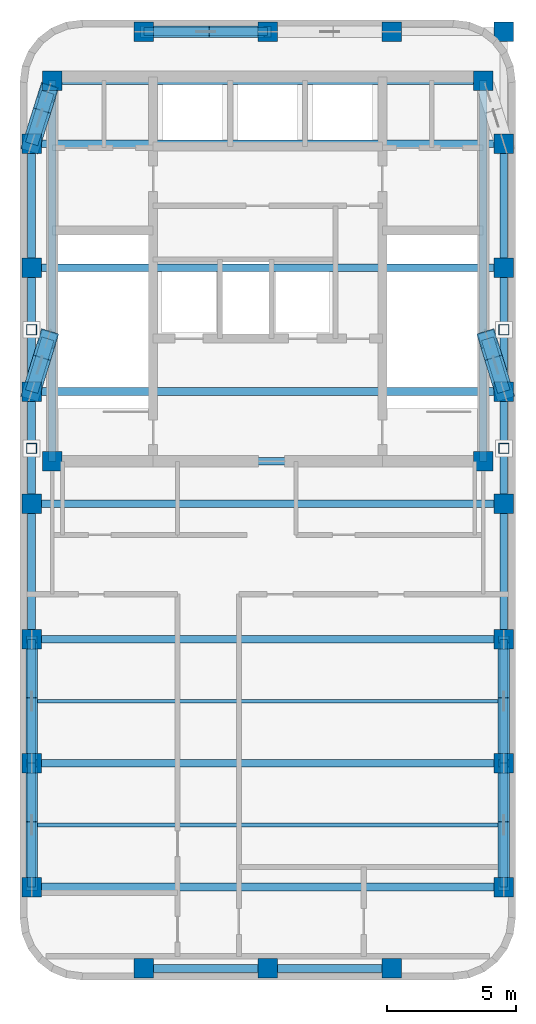
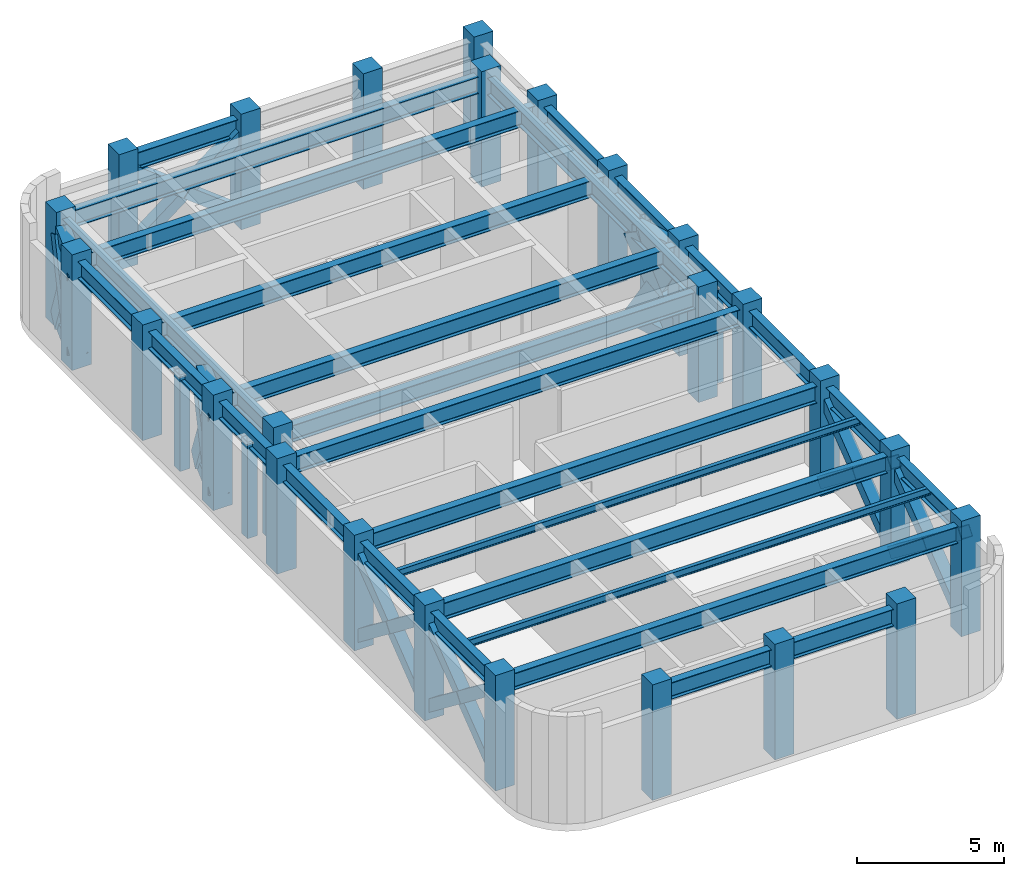
# One storey, part 1 of 5: 34 members, 28 beams, 25 columns.
"""IFC4 building model written with IfcOpenShell, lengths in metres."""

from ifc_helpers import new_model, si_unit, direction, frame, origin, origin_2d, place, context, subcontext, project, spatial, rectangle, hollow_rectangle, i_section, extrude, material, material_profile, profile_set, type_object, element, save


model = new_model("IFC4")

# Units and contexts
model_context = context("Model", 3, precision=1e-05, world=origin(), true_north=direction((0.0, 1.0)))
body_context = subcontext(model_context, "Body", "Model", "MODEL_VIEW")
ifc_project = project(units=[si_unit("LENGTHUNIT", "METRE"), si_unit("AREAUNIT", "SQUARE_METRE"), si_unit("VOLUMEUNIT", "CUBIC_METRE"), si_unit("PLANEANGLEUNIT", "RADIAN"), si_unit("MASSUNIT", "GRAM", prefix="KILO")], contexts=[model_context])

# Site, building, storey
site_placement = place(None, origin())
site = spatial("IfcSite", under=ifc_project, at=site_placement, CompositionType="ELEMENT")
building_placement = place(site_placement, origin())
building = spatial("IfcBuilding", under=site, at=building_placement, Name="Orvandelia Arch Residences", CompositionType="ELEMENT")
storey_placement = place(building_placement, frame((0.0, 0.0, 296.199951171875)))
storey = spatial("IfcBuildingStorey", under=building, at=storey_placement, Name="L76", CompositionType="ELEMENT", Elevation=296.199951171875)

# Columns
ifc_material_1 = material(Name="Concrete C50/60", Category="concrete")
ifc_material_profile_1 = material_profile(ifc_material_1, rectangle(XDim=0.75, YDim=0.75, at=origin_2d()), Name="Concrete C50/60", Category="concrete")
ifc_profile_set_1 = profile_set([ifc_material_profile_1], Name="Concrete C50/60")
column_type = type_object("IfcColumnType", Name="COL-TWR-750", PredefinedType="COLUMN", material=ifc_profile_set_1)
for number, where, z_axis, x_axis, name in (
    (1, (5.25, 14.39990234375, 0.0), (0.0, 0.0, 1.0), (1.0, 0.0, 0.0), "Structural Column L76-W-W-144"),
    (2, (5.25, 19.199951171875, 0.0), (0.0, 0.0, 1.0), (1.0, 0.0, 0.0), "Structural Column L76-W-W-192"),
    (3, (5.25, 24.0, 0.0), (0.0, 0.0, 1.0), (1.0, 0.0, 0.0), "Structural Column L76-W-W-240"),
    (4, (5.25, 29.25, 0.0), (0.0, 0.0, 1.0), (1.0, 0.0, 0.0), "Structural Column L76-W-W-292"),
    (5, (5.25, 33.60009765625, 0.0), (0.0, 0.0, 1.0), (1.0, 0.0, 0.0), "Structural Column L76-W-W-336"),
    (6, (5.25, 38.39990234375, 0.0), (0.0, 0.0, 1.0), (1.0, 0.0, 0.0), "Structural Column L76-W-W-384"),
    (7, (5.25, 43.199951171875, 0.0), (0.0, 0.0, 1.0), (1.0, 0.0, 0.0), "Structural Column L76-W-W-432"),
    (8, (6.050048828125, 30.89990234375, 0.0), (0.0, 0.0, 1.0), (1.0, 0.0, 0.0), "Structural Column L76-CR-SW"),
    (9, (6.050048828125, 45.64990234375, 0.0), (0.0, 0.0, 1.0), (1.0, 0.0, 0.0), "Structural Column L76-CR-NW"),
    (10, (9.60009765625, 11.25, 0.0), (0.0, 0.0, 1.0), (1.0, 0.0, 0.0), "Structural Column L76-W-S-96"),
    (11, (9.60009765625, 47.550048828125, 0.0), (0.0, 0.0, 1.0), (1.0, 0.0, 0.0), "Structural Column L76-W-N-96"),
    (12, (14.39990234375, 11.25, 0.0), (0.0, 0.0, 1.0), (1.0, 0.0, 0.0), "Structural Column L76-W-S-144"),
    (13, (14.39990234375, 47.550048828125, 0.0), (0.0, 0.0, 1.0), (1.0, 0.0, 0.0), "Structural Column L76-W-N-144"),
    (14, (19.199951171875, 11.25, 0.0), (0.0, 0.0, 1.0), (1.0, 0.0, 0.0), "Structural Column L76-W-S-192"),
    (15, (19.199951171875, 47.550048828125, 0.0), (0.0, 0.0, 1.0), (1.0, 0.0, 0.0), "Structural Column L76-W-N-192"),
    (16, (22.75, 30.89990234375, 0.0), (0.0, 0.0, 1.0), (1.0, 0.0, 0.0), "Structural Column L76-CR-SE"),
    (17, (22.75, 45.64990234375, 0.0), (0.0, 0.0, 1.0), (1.0, 0.0, 0.0), "Structural Column L76-CR-NE"),
    (18, (23.550048828125, 14.39990234375, 0.0), (0.0, 0.0, 1.0), (1.0, 0.0, 0.0), "Structural Column L76-W-E-144"),
    (19, (23.550048828125, 19.199951171875, 0.0), (0.0, 0.0, 1.0), (1.0, 0.0, 0.0), "Structural Column L76-W-E-192"),
    (20, (23.550048828125, 24.0, 0.0), (0.0, 0.0, 1.0), (1.0, 0.0, 0.0), "Structural Column L76-W-E-240"),
    (21, (23.550048828125, 29.25, 0.0), (0.0, 0.0, 1.0), (1.0, 0.0, 0.0), "Structural Column L76-W-E-292"),
    (22, (23.550048828125, 33.60009765625, 0.0), (0.0, 0.0, 1.0), (1.0, 0.0, 0.0), "Structural Column L76-W-E-336"),
    (23, (23.550048828125, 38.39990234375, 0.0), (0.0, 0.0, 1.0), (1.0, 0.0, 0.0), "Structural Column L76-W-E-384"),
    (24, (23.550048828125, 43.199951171875, 0.0), (0.0, 0.0, 1.0), (1.0, 0.0, 0.0), "Structural Column L76-W-E-432"),
    (25, (23.550048828125, 47.550048828125, 0.0), (0.0, 0.0, 1.0), (1.0, 0.0, 0.0), "Structural Column L76-W-N-235"),
):
    element("IfcColumn", number, at=place(storey_placement, frame(where, z_axis=z_axis, x_axis=x_axis)), inside=storey, type_object=column_type, Name=name, PredefinedType="COLUMN", context=body_context, shape_type="SweptSolid", body=[
        extrude(rectangle(XDim=0.75, YDim=0.75, at=origin_2d()), origin(), (0.0, 0.0, 1.0), 4.800048828125),
    ])

# Beams
ifc_material_2 = material(Name="Structural Steel SM355 (355 MPa)", Category="steel")
ifc_material_profile_2 = material_profile(ifc_material_2, i_section(OverallWidth=0.300048828125, OverallDepth=0.699951171875, WebThickness=0.012939453125, FlangeThickness=0.02392578125, FilletRadius=0.02392578125, at=origin_2d()), Name="Structural Steel SM355 (355 MPa)", Category="steel")
ifc_profile_set_2 = profile_set([ifc_material_profile_2], Name="Structural Steel SM355 (355 MPa)")
beam_type_1 = type_object("IfcBeamType", Name="BM-GRD-H700", PredefinedType="BEAM", material=ifc_profile_set_2)
for number, where, z_axis, x_axis, name in (
    (26, (5.25, 14.39990234375, 4.10009765625), (0.0, 1.0, 0.0), (-1.0, 0.0, 0.0), "Structural Frame Beam L76-NS-001"),
    (27, (5.25, 19.199951171875, 4.10009765625), (0.0, 1.0, 0.0), (-1.0, 0.0, 0.0), "Structural Frame Beam L76-NS-002"),
):
    element("IfcBeam", number, at=place(storey_placement, frame(where, z_axis=z_axis, x_axis=x_axis)), inside=storey, type_object=beam_type_1, Name=name, PredefinedType="BEAM", context=body_context, shape_type="SweptSolid", body=[
        extrude(i_section(OverallWidth=0.300048828125, OverallDepth=0.699951171875, WebThickness=0.012939453125, FlangeThickness=0.02392578125, FilletRadius=0.02392578125, at=origin_2d()), origin(), (0.0, 0.0, 1.0), 4.800048828125),
    ])
beam_1_placement = place(storey_placement, frame((5.25, 24.0, 4.10009765625), z_axis=(0.0, 1.0, 0.0), x_axis=(-1.0, 0.0, 0.0)))
element("IfcBeam", 28, at=beam_1_placement, inside=storey, type_object=beam_type_1, Name="Structural Frame Beam L76-NS-003", PredefinedType="BEAM", context=body_context, shape_type="SweptSolid", body=[
    extrude(i_section(OverallWidth=0.300048828125, OverallDepth=0.699951171875, WebThickness=0.012939453125, FlangeThickness=0.02392578125, FilletRadius=0.02392578125, at=origin_2d()), origin(), (0.0, 0.0, 1.0), 5.25),
])
beam_2_placement = place(storey_placement, frame((5.25, 29.25, 4.10009765625), z_axis=(0.0, 1.0, 0.0), x_axis=(-1.0, 0.0, 0.0)))
element("IfcBeam", 29, at=beam_2_placement, inside=storey, type_object=beam_type_1, Name="Structural Frame Beam L76-NS-004", PredefinedType="BEAM", context=body_context, shape_type="SweptSolid", body=[
    extrude(i_section(OverallWidth=0.300048828125, OverallDepth=0.699951171875, WebThickness=0.012939453125, FlangeThickness=0.02392578125, FilletRadius=0.02392578125, at=origin_2d()), origin(), (0.0, 0.0, 1.0), 4.35009765625),
])
beam_3_placement = place(storey_placement, frame((5.25, 33.60009765625, 4.10009765625), z_axis=(0.0, 1.0, 0.0), x_axis=(-1.0, 0.0, 0.0)))
element("IfcBeam", 30, at=beam_3_placement, inside=storey, type_object=beam_type_1, Name="Structural Frame Beam L76-NS-005", PredefinedType="BEAM", context=body_context, shape_type="SweptSolid", body=[
    extrude(i_section(OverallWidth=0.300048828125, OverallDepth=0.699951171875, WebThickness=0.012939453125, FlangeThickness=0.02392578125, FilletRadius=0.02392578125, at=origin_2d()), origin(), (0.0, 0.0, 1.0), 4.7998046875),
])
beam_4_placement = place(storey_placement, frame((5.25, 38.39990234375, 4.10009765625), z_axis=(0.0, 1.0, 0.0), x_axis=(-1.0, 0.0, 0.0)))
element("IfcBeam", 31, at=beam_4_placement, inside=storey, type_object=beam_type_1, Name="Structural Frame Beam L76-NS-006", PredefinedType="BEAM", context=body_context, shape_type="SweptSolid", body=[
    extrude(i_section(OverallWidth=0.300048828125, OverallDepth=0.699951171875, WebThickness=0.012939453125, FlangeThickness=0.02392578125, FilletRadius=0.02392578125, at=origin_2d()), origin(), (0.0, 0.0, 1.0), 4.800048828125),
])
for number, where, z_axis, x_axis, name in (
    (32, (6.050048828125, 30.89990234375, 4.10009765625), (0.0, 1.0, 0.0), (-1.0, 0.0, 0.0), "Structural Frame Beam L76-NS-007"),
    (33, (22.75, 30.89990234375, 4.10009765625), (0.0, 1.0, 0.0), (-1.0, 0.0, 0.0), "Structural Frame Beam L76-NS-008"),
):
    element("IfcBeam", number, at=place(storey_placement, frame(where, z_axis=z_axis, x_axis=x_axis)), inside=storey, type_object=beam_type_1, Name=name, PredefinedType="BEAM", context=body_context, shape_type="SweptSolid", body=[
        extrude(i_section(OverallWidth=0.300048828125, OverallDepth=0.699951171875, WebThickness=0.012939453125, FlangeThickness=0.02392578125, FilletRadius=0.02392578125, at=origin_2d()), origin(), (0.0, 0.0, 1.0), 14.75),
    ])
for number, where, z_axis, x_axis, name in (
    (34, (23.550048828125, 14.39990234375, 4.10009765625), (0.0, 1.0, 0.0), (-1.0, 0.0, 0.0), "Structural Frame Beam L76-NS-009"),
    (35, (23.550048828125, 19.199951171875, 4.10009765625), (0.0, 1.0, 0.0), (-1.0, 0.0, 0.0), "Structural Frame Beam L76-NS-010"),
):
    element("IfcBeam", number, at=place(storey_placement, frame(where, z_axis=z_axis, x_axis=x_axis)), inside=storey, type_object=beam_type_1, Name=name, PredefinedType="BEAM", context=body_context, shape_type="SweptSolid", body=[
        extrude(i_section(OverallWidth=0.300048828125, OverallDepth=0.699951171875, WebThickness=0.012939453125, FlangeThickness=0.02392578125, FilletRadius=0.02392578125, at=origin_2d()), origin(), (0.0, 0.0, 1.0), 4.800048828125),
    ])
beam_5_placement = place(storey_placement, frame((23.550048828125, 24.0, 4.10009765625), z_axis=(0.0, 1.0, 0.0), x_axis=(-1.0, 0.0, 0.0)))
element("IfcBeam", 36, at=beam_5_placement, inside=storey, type_object=beam_type_1, Name="Structural Frame Beam L76-NS-011", PredefinedType="BEAM", context=body_context, shape_type="SweptSolid", body=[
    extrude(i_section(OverallWidth=0.300048828125, OverallDepth=0.699951171875, WebThickness=0.012939453125, FlangeThickness=0.02392578125, FilletRadius=0.02392578125, at=origin_2d()), origin(), (0.0, 0.0, 1.0), 5.25),
])
beam_6_placement = place(storey_placement, frame((23.550048828125, 29.25, 4.10009765625), z_axis=(0.0, 1.0, 0.0), x_axis=(-1.0, 0.0, 0.0)))
element("IfcBeam", 37, at=beam_6_placement, inside=storey, type_object=beam_type_1, Name="Structural Frame Beam L76-NS-012", PredefinedType="BEAM", context=body_context, shape_type="SweptSolid", body=[
    extrude(i_section(OverallWidth=0.300048828125, OverallDepth=0.699951171875, WebThickness=0.012939453125, FlangeThickness=0.02392578125, FilletRadius=0.02392578125, at=origin_2d()), origin(), (0.0, 0.0, 1.0), 4.35009765625),
])
beam_7_placement = place(storey_placement, frame((23.550048828125, 33.60009765625, 4.10009765625), z_axis=(0.0, 1.0, 0.0), x_axis=(-1.0, 0.0, 0.0)))
element("IfcBeam", 38, at=beam_7_placement, inside=storey, type_object=beam_type_1, Name="Structural Frame Beam L76-NS-013", PredefinedType="BEAM", context=body_context, shape_type="SweptSolid", body=[
    extrude(i_section(OverallWidth=0.300048828125, OverallDepth=0.699951171875, WebThickness=0.012939453125, FlangeThickness=0.02392578125, FilletRadius=0.02392578125, at=origin_2d()), origin(), (0.0, 0.0, 1.0), 4.7998046875),
])
beam_8_placement = place(storey_placement, frame((23.550048828125, 38.39990234375, 4.10009765625), z_axis=(0.0, 1.0, 0.0), x_axis=(-1.0, 0.0, 0.0)))
element("IfcBeam", 39, at=beam_8_placement, inside=storey, type_object=beam_type_1, Name="Structural Frame Beam L76-NS-014", PredefinedType="BEAM", context=body_context, shape_type="SweptSolid", body=[
    extrude(i_section(OverallWidth=0.300048828125, OverallDepth=0.699951171875, WebThickness=0.012939453125, FlangeThickness=0.02392578125, FilletRadius=0.02392578125, at=origin_2d()), origin(), (0.0, 0.0, 1.0), 4.800048828125),
])
beam_9_placement = place(storey_placement, frame((9.60009765625, 11.25, 4.10009765625), z_axis=(1.0, 0.0, 0.0), x_axis=(0.0, 1.0, 0.0)))
element("IfcBeam", 40, at=beam_9_placement, inside=storey, type_object=beam_type_1, Name="Structural Frame Girder L76-EW-016", PredefinedType="BEAM", context=body_context, shape_type="SweptSolid", body=[
    extrude(i_section(OverallWidth=0.300048828125, OverallDepth=0.699951171875, WebThickness=0.012939453125, FlangeThickness=0.02392578125, FilletRadius=0.02392578125, at=origin_2d()), origin(), (0.0, 0.0, 1.0), 4.7998046875),
])
beam_10_placement = place(storey_placement, frame((14.39990234375, 11.25, 4.10009765625), z_axis=(1.0, 0.0, 0.0), x_axis=(0.0, 1.0, 0.0)))
element("IfcBeam", 41, at=beam_10_placement, inside=storey, type_object=beam_type_1, Name="Structural Frame Girder L76-EW-017", PredefinedType="BEAM", context=body_context, shape_type="SweptSolid", body=[
    extrude(i_section(OverallWidth=0.300048828125, OverallDepth=0.699951171875, WebThickness=0.012939453125, FlangeThickness=0.02392578125, FilletRadius=0.02392578125, at=origin_2d()), origin(), (0.0, 0.0, 1.0), 4.800048828125),
])
for number, where, z_axis, x_axis, name in (
    (42, (5.25, 14.39990234375, 4.10009765625), (1.0, 0.0, 0.0), (0.0, 1.0, 0.0), "Structural Frame Girder L76-EW-018"),
    (43, (5.25, 19.199951171875, 4.10009765625), (1.0, 0.0, 0.0), (0.0, 1.0, 0.0), "Structural Frame Girder L76-EW-019"),
    (44, (5.25, 24.0, 4.10009765625), (1.0, 0.0, 0.0), (0.0, 1.0, 0.0), "Structural Frame Girder L76-EW-020"),
    (45, (5.25, 29.25, 4.10009765625), (1.0, 0.0, 0.0), (0.0, 1.0, 0.0), "Structural Frame Girder L76-EW-021"),
):
    element("IfcBeam", number, at=place(storey_placement, frame(where, z_axis=z_axis, x_axis=x_axis)), inside=storey, type_object=beam_type_1, Name=name, PredefinedType="BEAM", context=body_context, shape_type="SweptSolid", body=[
        extrude(i_section(OverallWidth=0.300048828125, OverallDepth=0.699951171875, WebThickness=0.012939453125, FlangeThickness=0.02392578125, FilletRadius=0.02392578125, at=origin_2d()), origin(), (0.0, 0.0, 1.0), 18.300048828125),
    ])
beam_11_placement = place(storey_placement, frame((6.050048828125, 30.89990234375, 4.10009765625), z_axis=(1.0, 0.0, 0.0), x_axis=(0.0, 1.0, 0.0)))
element("IfcBeam", 46, at=beam_11_placement, inside=storey, type_object=beam_type_1, Name="Structural Frame Girder L76-EW-022", PredefinedType="BEAM", context=body_context, shape_type="SweptSolid", body=[
    extrude(i_section(OverallWidth=0.300048828125, OverallDepth=0.699951171875, WebThickness=0.012939453125, FlangeThickness=0.02392578125, FilletRadius=0.02392578125, at=origin_2d()), origin(), (0.0, 0.0, 1.0), 16.699951171875),
])
for number, where, z_axis, x_axis, name in (
    (47, (5.25, 33.60009765625, 4.10009765625), (1.0, 0.0, 0.0), (0.0, 1.0, 0.0), "Structural Frame Girder L76-EW-023"),
    (48, (5.25, 38.39990234375, 4.10009765625), (1.0, 0.0, 0.0), (0.0, 1.0, 0.0), "Structural Frame Girder L76-EW-024"),
    (49, (5.25, 43.199951171875, 4.10009765625), (1.0, 0.0, 0.0), (0.0, 1.0, 0.0), "Structural Frame Girder L76-EW-025"),
):
    element("IfcBeam", number, at=place(storey_placement, frame(where, z_axis=z_axis, x_axis=x_axis)), inside=storey, type_object=beam_type_1, Name=name, PredefinedType="BEAM", context=body_context, shape_type="SweptSolid", body=[
        extrude(i_section(OverallWidth=0.300048828125, OverallDepth=0.699951171875, WebThickness=0.012939453125, FlangeThickness=0.02392578125, FilletRadius=0.02392578125, at=origin_2d()), origin(), (0.0, 0.0, 1.0), 18.300048828125),
    ])
beam_12_placement = place(storey_placement, frame((6.050048828125, 45.64990234375, 4.10009765625), z_axis=(1.0, 0.0, 0.0), x_axis=(0.0, 1.0, 0.0)))
element("IfcBeam", 50, at=beam_12_placement, inside=storey, type_object=beam_type_1, Name="Structural Frame Girder L76-EW-026", PredefinedType="BEAM", context=body_context, shape_type="SweptSolid", body=[
    extrude(i_section(OverallWidth=0.300048828125, OverallDepth=0.699951171875, WebThickness=0.012939453125, FlangeThickness=0.02392578125, FilletRadius=0.02392578125, at=origin_2d()), origin(), (0.0, 0.0, 1.0), 16.699951171875),
])
beam_13_placement = place(storey_placement, frame((9.60009765625, 47.550048828125, 4.10009765625), z_axis=(1.0, 0.0, 0.0), x_axis=(0.0, 1.0, 0.0)))
element("IfcBeam", 51, at=beam_13_placement, inside=storey, type_object=beam_type_1, Name="Structural Frame Girder L76-EW-027", PredefinedType="BEAM", context=body_context, shape_type="SweptSolid", body=[
    extrude(i_section(OverallWidth=0.300048828125, OverallDepth=0.699951171875, WebThickness=0.012939453125, FlangeThickness=0.02392578125, FilletRadius=0.02392578125, at=origin_2d()), origin(), (0.0, 0.0, 1.0), 4.7998046875),
])
ifc_material_profile_3 = material_profile(ifc_material_2, i_section(OverallWidth=0.14990234375, OverallDepth=0.300048828125, WebThickness=0.006591796875, FlangeThickness=0.009033203125, FilletRadius=0.012939453125, at=origin_2d()), Name="Structural Steel SM355 (355 MPa)", Category="steel")
ifc_profile_set_3 = profile_set([ifc_material_profile_3], Name="Structural Steel SM355 (355 MPa)")
beam_type_2 = type_object("IfcBeamType", Name="BM-JST-H300", PredefinedType="JOIST", material=ifc_profile_set_3)
for number, where, z_axis, x_axis, name in (
    (52, (5.25, 16.800048828125, 4.300048828125), (1.0, 0.0, 0.0), (0.0, 1.0, 0.0), "Composite Floor Joist L76-J1"),
    (53, (5.25, 21.60009765625, 4.300048828125), (1.0, 0.0, 0.0), (0.0, 1.0, 0.0), "Composite Floor Joist L76-J2"),
):
    element("IfcBeam", number, at=place(storey_placement, frame(where, z_axis=z_axis, x_axis=x_axis)), inside=storey, type_object=beam_type_2, Name=name, PredefinedType="JOIST", context=body_context, shape_type="SweptSolid", body=[
        extrude(i_section(OverallWidth=0.14990234375, OverallDepth=0.300048828125, WebThickness=0.006591796875, FlangeThickness=0.009033203125, FilletRadius=0.012939453125, at=origin_2d()), origin(), (0.0, 0.0, 1.0), 18.300048828125),
    ])

# Members
ifc_material_3 = material(Name="Structural Steel HSA650 (650 MPa)", Category="steel")
ifc_material_profile_4 = material_profile(ifc_material_3, hollow_rectangle(XDim=0.449951171875, YDim=0.449951171875, WallThickness=0.02490234375, at=origin_2d()), Name="Structural Steel HSA650 (650 MPa)", Category="steel")
ifc_profile_set_4 = profile_set([ifc_material_profile_4], Name="Structural Steel HSA650 (650 MPa)")
member_type_1 = type_object("IfcMemberType", Name="MBR-BELT-DIAG", PredefinedType="BRACE", material=ifc_profile_set_4)
member_1_placement = place(storey_placement, frame((5.25, 14.39990234375, 0.300048828125), z_axis=(0.0, 0.79201709571, 0.610498910812), x_axis=(-1.0, 0.0, 0.0)))
element("IfcMember", 54, at=member_1_placement, inside=storey, type_object=member_type_1, Name="Perimeter Belt Truss Diagonal L76-BW-1-1", PredefinedType="BRACE", context=body_context, shape_type="SweptSolid", body=[
    extrude(hollow_rectangle(XDim=0.449951171875, YDim=0.449951171875, WallThickness=0.02490234375, at=origin_2d()), origin(), (0.0, 0.0, 1.0), 6.060546875),
])
member_2_placement = place(storey_placement, frame((5.25, 19.199951171875, 0.300048828125), z_axis=(0.0, -0.79199143626, 0.610532198078), x_axis=(1.0, 0.0, 0.0)))
element("IfcMember", 55, at=member_2_placement, inside=storey, type_object=member_type_1, Name="Perimeter Belt Truss Split Diagonal Lower L76-BW-1-2A", PredefinedType="BRACE", context=body_context, shape_type="SweptSolid", body=[
    extrude(hollow_rectangle(XDim=0.449951171875, YDim=0.449951171875, WallThickness=0.02490234375, at=origin_2d()), origin(), (0.0, 0.0, 1.0), 3.01513671875),
])
member_3_placement = place(storey_placement, frame((5.25, 16.7880859375, 2.1591796875), z_axis=(0.0, -0.792021615799, 0.610493046731), x_axis=(1.0, 0.0, 0.0)))
element("IfcMember", 56, at=member_3_placement, inside=storey, type_object=member_type_1, Name="Perimeter Belt Truss Split Diagonal Upper L76-BW-1-2B", PredefinedType="BRACE", context=body_context, shape_type="SweptSolid", body=[
    extrude(hollow_rectangle(XDim=0.449951171875, YDim=0.449951171875, WallThickness=0.02490234375, at=origin_2d()), origin(), (0.0, 0.0, 1.0), 3.015380859375),
])
member_4_placement = place(storey_placement, frame((5.25, 19.199951171875, 0.300048828125), z_axis=(0.0, 0.79201709571, 0.610498910812), x_axis=(-1.0, 0.0, 0.0)))
element("IfcMember", 57, at=member_4_placement, inside=storey, type_object=member_type_1, Name="Perimeter Belt Truss Diagonal L76-BW-2-1", PredefinedType="BRACE", context=body_context, shape_type="SweptSolid", body=[
    extrude(hollow_rectangle(XDim=0.449951171875, YDim=0.449951171875, WallThickness=0.02490234375, at=origin_2d()), origin(), (0.0, 0.0, 1.0), 6.060546875),
])
for number, where, z_axis, x_axis, name in (
    (58, (5.25, 24.0, 0.300048828125), (0.0, -0.792021615799, 0.610493046731), (1.0, 0.0, 0.0), "Perimeter Belt Truss Split Diagonal Lower L76-BW-2-2A"),
    (59, (5.25, 21.588134765625, 2.1591796875), (0.0, -0.792021615799, 0.610493046731), (1.0, 0.0, 0.0), "Perimeter Belt Truss Split Diagonal Upper L76-BW-2-2B"),
):
    element("IfcMember", number, at=place(storey_placement, frame(where, z_axis=z_axis, x_axis=x_axis)), inside=storey, type_object=member_type_1, Name=name, PredefinedType="BRACE", context=body_context, shape_type="SweptSolid", body=[
        extrude(hollow_rectangle(XDim=0.449951171875, YDim=0.449951171875, WallThickness=0.02490234375, at=origin_2d()), origin(), (0.0, 0.0, 1.0), 3.015380859375),
    ])
member_5_placement = place(storey_placement, frame((23.550048828125, 14.39990234375, 0.300048828125), z_axis=(0.0, 0.79201709571, 0.610498910812), x_axis=(-1.0, 0.0, 0.0)))
element("IfcMember", 60, at=member_5_placement, inside=storey, type_object=member_type_1, Name="Perimeter Belt Truss Diagonal L76-BE-1-1", PredefinedType="BRACE", context=body_context, shape_type="SweptSolid", body=[
    extrude(hollow_rectangle(XDim=0.449951171875, YDim=0.449951171875, WallThickness=0.02490234375, at=origin_2d()), origin(), (0.0, 0.0, 1.0), 6.060546875),
])
member_6_placement = place(storey_placement, frame((23.550048828125, 19.199951171875, 0.300048828125), z_axis=(0.0, -0.79199143626, 0.610532198078), x_axis=(1.0, 0.0, 0.0)))
element("IfcMember", 61, at=member_6_placement, inside=storey, type_object=member_type_1, Name="Perimeter Belt Truss Split Diagonal Lower L76-BE-1-2A", PredefinedType="BRACE", context=body_context, shape_type="SweptSolid", body=[
    extrude(hollow_rectangle(XDim=0.449951171875, YDim=0.449951171875, WallThickness=0.02490234375, at=origin_2d()), origin(), (0.0, 0.0, 1.0), 3.01513671875),
])
member_7_placement = place(storey_placement, frame((23.550048828125, 16.7880859375, 2.1591796875), z_axis=(0.0, -0.792021615799, 0.610493046731), x_axis=(1.0, 0.0, 0.0)))
element("IfcMember", 62, at=member_7_placement, inside=storey, type_object=member_type_1, Name="Perimeter Belt Truss Split Diagonal Upper L76-BE-1-2B", PredefinedType="BRACE", context=body_context, shape_type="SweptSolid", body=[
    extrude(hollow_rectangle(XDim=0.449951171875, YDim=0.449951171875, WallThickness=0.02490234375, at=origin_2d()), origin(), (0.0, 0.0, 1.0), 3.015380859375),
])
member_8_placement = place(storey_placement, frame((23.550048828125, 19.199951171875, 0.300048828125), z_axis=(0.0, 0.79201709571, 0.610498910812), x_axis=(-1.0, 0.0, 0.0)))
element("IfcMember", 63, at=member_8_placement, inside=storey, type_object=member_type_1, Name="Perimeter Belt Truss Diagonal L76-BE-2-1", PredefinedType="BRACE", context=body_context, shape_type="SweptSolid", body=[
    extrude(hollow_rectangle(XDim=0.449951171875, YDim=0.449951171875, WallThickness=0.02490234375, at=origin_2d()), origin(), (0.0, 0.0, 1.0), 6.060546875),
])
for number, where, z_axis, x_axis, name in (
    (64, (23.550048828125, 24.0, 0.300048828125), (0.0, -0.792021615799, 0.610493046731), (1.0, 0.0, 0.0), "Perimeter Belt Truss Split Diagonal Lower L76-BE-2-2A"),
    (65, (23.550048828125, 21.588134765625, 2.1591796875), (0.0, -0.792021615799, 0.610493046731), (1.0, 0.0, 0.0), "Perimeter Belt Truss Split Diagonal Upper L76-BE-2-2B"),
):
    element("IfcMember", number, at=place(storey_placement, frame(where, z_axis=z_axis, x_axis=x_axis)), inside=storey, type_object=member_type_1, Name=name, PredefinedType="BRACE", context=body_context, shape_type="SweptSolid", body=[
        extrude(hollow_rectangle(XDim=0.449951171875, YDim=0.449951171875, WallThickness=0.02490234375, at=origin_2d()), origin(), (0.0, 0.0, 1.0), 3.015380859375),
    ])
member_9_placement = place(storey_placement, frame((9.60009765625, 47.550048828125, 0.300048828125), z_axis=(0.792002080911, 0.0, 0.610518389431), x_axis=(0.0, 1.0, 0.0)))
element("IfcMember", 66, at=member_9_placement, inside=storey, type_object=member_type_1, Name="Perimeter Belt Truss Diagonal L76-BN-1-1", PredefinedType="BRACE", context=body_context, shape_type="SweptSolid", body=[
    extrude(hollow_rectangle(XDim=0.449951171875, YDim=0.449951171875, WallThickness=0.02490234375, at=origin_2d()), origin(), (0.0, 0.0, 1.0), 6.060302734375),
])
for number, where, z_axis, x_axis, name in (
    (67, (14.39990234375, 47.550048828125, 0.300048828125), (-0.79199143626, 0.0, 0.610532198078), (0.0, -1.0, 0.0), "Perimeter Belt Truss Split Diagonal Lower L76-BN-1-2A"),
    (68, (11.988037109375, 47.550048828125, 2.1591796875), (-0.79199143626, 0.0, 0.610532198078), (0.0, -1.0, 0.0), "Perimeter Belt Truss Split Diagonal Upper L76-BN-1-2B"),
):
    element("IfcMember", number, at=place(storey_placement, frame(where, z_axis=z_axis, x_axis=x_axis)), inside=storey, type_object=member_type_1, Name=name, PredefinedType="BRACE", context=body_context, shape_type="SweptSolid", body=[
        extrude(hollow_rectangle(XDim=0.449951171875, YDim=0.449951171875, WallThickness=0.02490234375, at=origin_2d()), origin(), (0.0, 0.0, 1.0), 3.01513671875),
    ])
ifc_material_profile_5 = material_profile(ifc_material_2, hollow_rectangle(XDim=0.39990234375, YDim=0.39990234375, WallThickness=0.02197265625, at=origin_2d()), Name="Structural Steel SM355 (355 MPa)", Category="steel")
ifc_profile_set_5 = profile_set([ifc_material_profile_5], Name="Structural Steel SM355 (355 MPa)")
member_type_2 = type_object("IfcMemberType", Name="MBR-BELT-POST", PredefinedType="POST", material=ifc_profile_set_5)
for number, where, z_axis, x_axis, name in (
    (69, (5.25, 31.39990234375, 0.0), (0.0, 0.0, 1.0), (1.0, 0.0, 0.0), "Belt Truss Vertical Post L76-BPW-1"),
    (70, (5.25, 36.0, 0.0), (0.0, 0.0, 1.0), (1.0, 0.0, 0.0), "Belt Truss Vertical Post L76-BPW-2"),
    (71, (23.550048828125, 31.39990234375, 0.0), (0.0, 0.0, 1.0), (1.0, 0.0, 0.0), "Belt Truss Vertical Post L76-BPE-1"),
    (72, (23.550048828125, 36.0, 0.0), (0.0, 0.0, 1.0), (1.0, 0.0, 0.0), "Belt Truss Vertical Post L76-BPE-2"),
):
    element("IfcMember", number, at=place(storey_placement, frame(where, z_axis=z_axis, x_axis=x_axis)), inside=storey, type_object=member_type_2, Name=name, PredefinedType="POST", context=body_context, shape_type="SweptSolid", body=[
        extrude(hollow_rectangle(XDim=0.39990234375, YDim=0.39990234375, WallThickness=0.02197265625, at=origin_2d()), origin(), (0.0, 0.0, 1.0), 4.0),
    ])
ifc_material_profile_6 = material_profile(ifc_material_3, hollow_rectangle(XDim=0.5, YDim=0.5, WallThickness=0.028076171875, at=origin_2d()), Name="Structural Steel HSA650 (650 MPa)", Category="steel")
ifc_profile_set_6 = profile_set([ifc_material_profile_6], Name="Structural Steel HSA650 (650 MPa)")
member_type_3 = type_object("IfcMemberType", Name="MBR-OUTRIGGER-CHORD", PredefinedType="CHORD", material=ifc_profile_set_6)
for number, where, z_axis, x_axis, name in (
    (73, (5.25, 33.60009765625, 0.300048828125), (0.293733816022, 0.955887255551, 0.0), (-0.955887255551, 0.293733816022, 0.0), "Outrigger Bottom Chord L76-OW-S"),
    (74, (5.25, 33.60009765625, 4.0), (0.293733816022, 0.955887255551, 0.0), (-0.955887255551, 0.293733816022, 0.0), "Outrigger Top Chord L76-OW-S"),
):
    element("IfcMember", number, at=place(storey_placement, frame(where, z_axis=z_axis, x_axis=x_axis)), inside=storey, type_object=member_type_3, Name=name, PredefinedType="CHORD", context=body_context, shape_type="SweptSolid", body=[
        extrude(hollow_rectangle(XDim=0.5, YDim=0.5, WallThickness=0.028076171875, at=origin_2d()), origin(), (0.0, 0.0, 1.0), 2.144287109375),
    ])
for number, where, z_axis, x_axis, name in (
    (75, (5.25, 43.199951171875, 0.300048828125), (0.300395730258, 0.953814659796, 0.0), (-0.953814659796, 0.300395730258, 0.0), "Outrigger Bottom Chord L76-OW-N"),
    (76, (5.25, 43.199951171875, 4.0), (0.300395730258, 0.953814659796, 0.0), (-0.953814659796, 0.300395730258, 0.0), "Outrigger Top Chord L76-OW-N"),
):
    element("IfcMember", number, at=place(storey_placement, frame(where, z_axis=z_axis, x_axis=x_axis)), inside=storey, type_object=member_type_3, Name=name, PredefinedType="CHORD", context=body_context, shape_type="SweptSolid", body=[
        extrude(hollow_rectangle(XDim=0.5, YDim=0.5, WallThickness=0.028076171875, at=origin_2d()), origin(), (0.0, 0.0, 1.0), 2.096923828125),
    ])
for number, where, z_axis, x_axis, name in (
    (77, (23.550048828125, 33.60009765625, 0.300048828125), (-0.293837838165, 0.955855284477, 0.0), (-0.955855284477, -0.293837838165, 0.0), "Outrigger Bottom Chord L76-OE-S"),
    (78, (23.550048828125, 33.60009765625, 4.0), (-0.293837838165, 0.955855284477, 0.0), (-0.955855284477, -0.293837838165, 0.0), "Outrigger Top Chord L76-OE-S"),
):
    element("IfcMember", number, at=place(storey_placement, frame(where, z_axis=z_axis, x_axis=x_axis)), inside=storey, type_object=member_type_3, Name=name, PredefinedType="CHORD", context=body_context, shape_type="SweptSolid", body=[
        extrude(hollow_rectangle(XDim=0.5, YDim=0.5, WallThickness=0.028076171875, at=origin_2d()), origin(), (0.0, 0.0, 1.0), 2.14453125),
    ])
ifc_material_profile_7 = material_profile(ifc_material_3, hollow_rectangle(XDim=0.699951171875, YDim=0.699951171875, WallThickness=0.0400390625, at=origin_2d()), Name="Structural Steel HSA650 (650 MPa)", Category="steel")
ifc_profile_set_7 = profile_set([ifc_material_profile_7], Name="Structural Steel HSA650 (650 MPa)")
member_type_4 = type_object("IfcMemberType", Name="MBR-OUTRIGGER-DIAG", PredefinedType="BRACE", material=ifc_profile_set_7)
member_10_placement = place(storey_placement, frame((5.25, 33.60009765625, 0.35009765625), z_axis=(0.150324474379, 0.489195460032, 0.859121850663), x_axis=(-0.955887255551, 0.293733816022, 0.0)))
element("IfcMember", 79, at=member_10_placement, inside=storey, type_object=member_type_4, Name="Outrigger Web Diagonal L76-OW-S-1", PredefinedType="BRACE", context=body_context, shape_type="SweptSolid", body=[
    extrude(hollow_rectangle(XDim=0.699951171875, YDim=0.699951171875, WallThickness=0.0400390625, at=origin_2d()), origin(), (0.0, 0.0, 1.0), 4.190185546875),
])
for number, where, z_axis, x_axis, name in (
    (80, (5.8798828125, 35.64990234375, 0.35009765625), (-0.150232026513, -0.489193036332, 0.859139401619), (0.955937556107, -0.293570074812, 0.0), "Outrigger Split Diagonal Lower L76-OW-S-2A"),
    (81, (5.562744140625, 34.61767578125, 2.162841796875), (-0.150346743275, -0.489184407471, 0.859124247286), (0.955873173455, -0.293779638963, 0.0), "Outrigger Split Diagonal Upper L76-OW-S-2B"),
):
    element("IfcMember", number, at=place(storey_placement, frame(where, z_axis=z_axis, x_axis=x_axis)), inside=storey, type_object=member_type_4, Name=name, PredefinedType="BRACE", context=body_context, shape_type="SweptSolid", body=[
        extrude(hollow_rectangle(XDim=0.699951171875, YDim=0.699951171875, WallThickness=0.0400390625, at=origin_2d()), origin(), (0.0, 0.0, 1.0), 2.080078125),
    ])
member_11_placement = place(storey_placement, frame((5.25, 43.199951171875, 0.35009765625), z_axis=(0.151195449189, 0.480074852619, 0.864099572982), x_axis=(-0.953814659796, 0.300395730258, 0.0)))
element("IfcMember", 82, at=member_11_placement, inside=storey, type_object=member_type_4, Name="Outrigger Web Diagonal L76-OW-N-1", PredefinedType="BRACE", context=body_context, shape_type="SweptSolid", body=[
    extrude(hollow_rectangle(XDim=0.699951171875, YDim=0.699951171875, WallThickness=0.0400390625, at=origin_2d()), origin(), (0.0, 0.0, 1.0), 4.166015625),
])
for number, where, z_axis, x_axis, name in (
    (83, (5.8798828125, 45.199951171875, 0.35009765625), (-0.151124115614, -0.480055198506, 0.864122970454), (0.95385173936, -0.300277970089, 0.0), "Outrigger Split Diagonal Lower L76-OW-N-2A"),
    (84, (5.562744140625, 44.19287109375, 2.1630859375), (-0.151230909818, -0.480137478711, 0.864058570614), (0.953805702092, -0.300424171227, 0.0), "Outrigger Split Diagonal Upper L76-OW-N-2B"),
):
    element("IfcMember", number, at=place(storey_placement, frame(where, z_axis=z_axis, x_axis=x_axis)), inside=storey, type_object=member_type_4, Name=name, PredefinedType="BRACE", context=body_context, shape_type="SweptSolid", body=[
        extrude(hollow_rectangle(XDim=0.699951171875, YDim=0.699951171875, WallThickness=0.0400390625, at=origin_2d()), origin(), (0.0, 0.0, 1.0), 2.06787109375),
    ])
member_12_placement = place(storey_placement, frame((23.550048828125, 33.60009765625, 0.35009765625), z_axis=(-0.150381422283, 0.489191174541, 0.859114324513), x_axis=(-0.955855284477, -0.293837838165, 0.0)))
element("IfcMember", 85, at=member_12_placement, inside=storey, type_object=member_type_4, Name="Outrigger Web Diagonal L76-OE-S-1", PredefinedType="BRACE", context=body_context, shape_type="SweptSolid", body=[
    extrude(hollow_rectangle(XDim=0.699951171875, YDim=0.699951171875, WallThickness=0.0400390625, at=origin_2d()), origin(), (0.0, 0.0, 1.0), 4.190185546875),
])
for number, where, z_axis, x_axis, name in (
    (86, (22.919921875, 35.64990234375, 0.35009765625), (0.150346743275, -0.489184407471, 0.859124247286), (0.955873173455, 0.293779638963, 0.0), "Outrigger Split Diagonal Lower L76-OE-S-2A"),
    (87, (23.2373046875, 34.61767578125, 2.162841796875), (0.150346743275, -0.489184407471, 0.859124247286), (0.955873173455, 0.293779638963, 0.0), "Outrigger Split Diagonal Upper L76-OE-S-2B"),
):
    element("IfcMember", number, at=place(storey_placement, frame(where, z_axis=z_axis, x_axis=x_axis)), inside=storey, type_object=member_type_4, Name=name, PredefinedType="BRACE", context=body_context, shape_type="SweptSolid", body=[
        extrude(hollow_rectangle(XDim=0.699951171875, YDim=0.699951171875, WallThickness=0.0400390625, at=origin_2d()), origin(), (0.0, 0.0, 1.0), 2.080078125),
    ])

save(model, "model.ifc")
